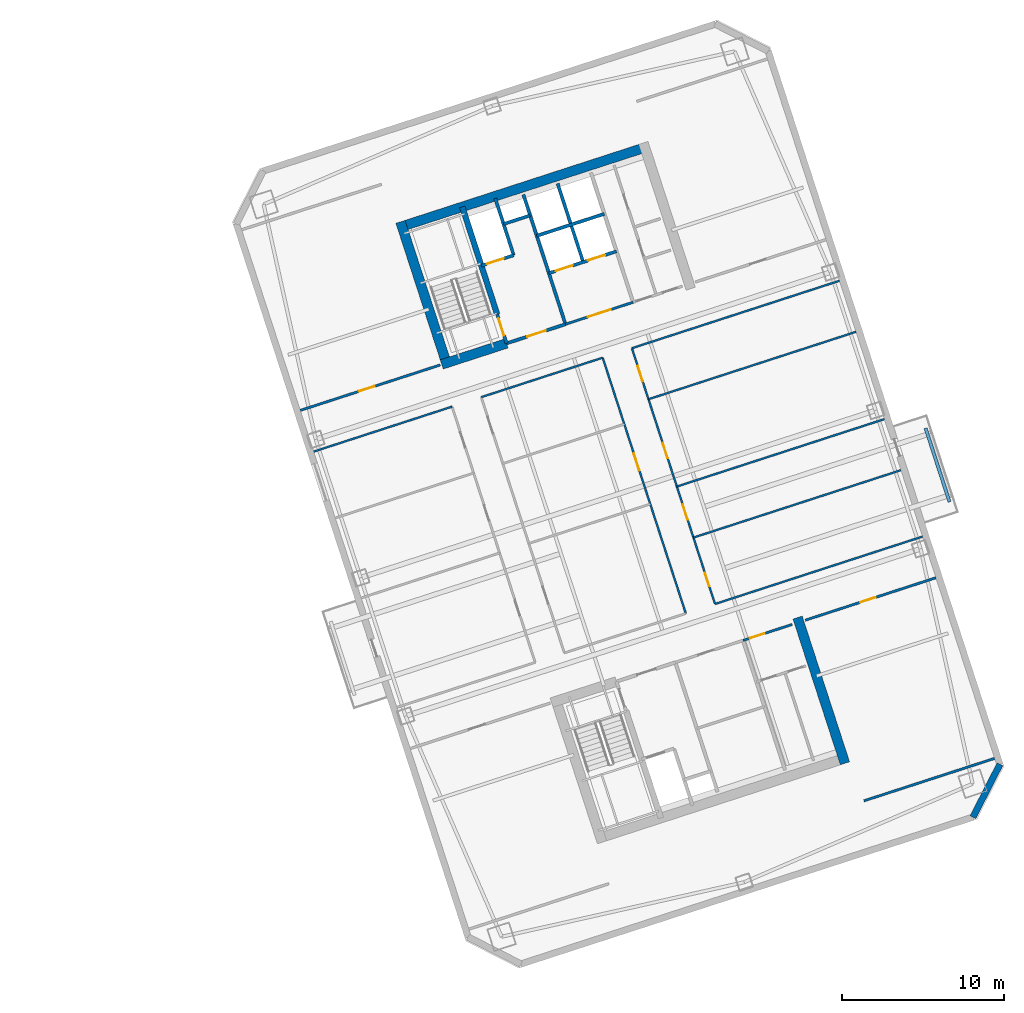
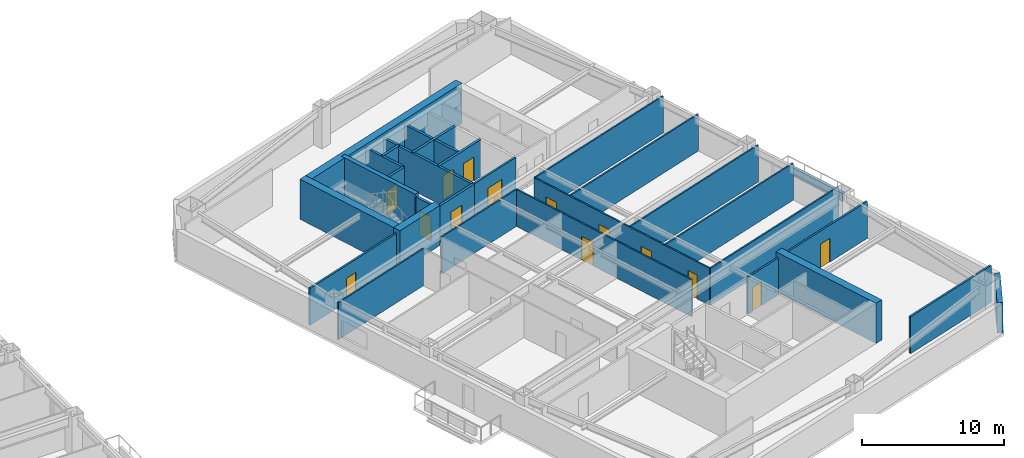
# One storey, part 8 of 14: 30 walls, 14 doors, 14 openings.
"""IFC4 building model written with IfcOpenShell, lengths in metres."""

from ifc_helpers import new_model, si_unit, direction, frame, frame_2d, origin, place, context, subcontext, project, spatial, rectangle, extrude, material, layer, layer_set, type_object, element, fill, save


model = new_model("IFC4")

# Units and contexts
model_context = context("Model", 3, precision=1e-05, world=origin(), true_north=direction((0.0, 1.0)))
body_context = subcontext(model_context, "Body", "Model", "MODEL_VIEW")
ifc_project = project(units=[si_unit("LENGTHUNIT", "METRE"), si_unit("AREAUNIT", "SQUARE_METRE"), si_unit("VOLUMEUNIT", "CUBIC_METRE"), si_unit("PLANEANGLEUNIT", "RADIAN"), si_unit("MASSUNIT", "GRAM", prefix="KILO")], contexts=[model_context])

# Site, building, storey
site_placement = place(None, origin())
site = spatial("IfcSite", under=ifc_project, at=site_placement, CompositionType="ELEMENT")
building_placement = place(site_placement, origin())
building = spatial("IfcBuilding", under=site, at=building_placement, Name="Qiaolan Cultural Towers", CompositionType="ELEMENT")
storey_placement = place(building_placement, frame((0.0, 0.0, 124.199951171875)))
storey = spatial("IfcBuildingStorey", under=building, at=storey_placement, Name="L32", CompositionType="ELEMENT", Elevation=124.199951171875)

# Walls
ifc_material_1 = material(Name="Concrete C50", Category="concrete")
ifc_layer_1 = layer(ifc_material_1, 0.35009765625)
ifc_layer_set_1 = layer_set([ifc_layer_1], Name="Concrete C50")
wall_type_1 = type_object("IfcWallType", Name="WL-CORE-350", PredefinedType="SHEAR", material=ifc_layer_set_1)
wall_1_placement = place(storey_placement, frame((82.513671875, 45.13134765625, 0.0), z_axis=(0.0, 0.0, 1.0), x_axis=(-0.308988790936, 0.951065679686, 0.0)))
element("IfcWall", 1, at=wall_1_placement, inside=storey, type_object=wall_type_1, Name="L32 T2-CN Stair Core Dividing Web", PredefinedType="SHEAR", context=body_context, shape_type="SweptSolid", body=[
    extrude(rectangle(XDim=6.97998046875, YDim=0.35009765625, at=frame_2d((3.489990234375, 0.0))), origin(), (0.0, 0.0, 1.0), 3.449951171875),
])
ifc_material_2 = material(Name="Concrete C55", Category="concrete")
ifc_layer_2 = layer(ifc_material_2, 0.60009765625)
ifc_layer_set_2 = layer_set([ifc_layer_2], Name="Concrete C55")
wall_type_2 = type_object("IfcWallType", Name="WL-CORE-600", PredefinedType="SHEAR", material=ifc_layer_set_2)
wall_2_placement = place(storey_placement, frame((101.105224609375, 26.357666015625, 0.0), z_axis=(0.0, 0.0, 1.0), x_axis=(0.309010370028, -0.95105866865, 0.0)))
element("IfcWall", 2, at=wall_2_placement, inside=storey, type_object=wall_type_2, Name="L32 T2-CS East Core Shear Wall", PredefinedType="SHEAR", context=body_context, shape_type="SweptSolid", body=[
    extrude(rectangle(XDim=9.47998046875, YDim=0.60009765625, at=frame_2d((4.739990234375, 0.0))), origin(), (0.0, 0.0, 1.0), 3.449951171875),
])
wall_3_placement = place(storey_placement, frame((76.343505859375, 50.4658203125, 0.0), z_axis=(0.0, 0.0, 1.0), x_axis=(0.951055727519, 0.309019421968, 0.0)))
element("IfcWall", 3, at=wall_3_placement, inside=storey, type_object=wall_type_2, Name="L32 T2-CN Outer Core Shear Wall", PredefinedType="SHEAR", context=body_context, shape_type="SweptSolid", body=[
    extrude(rectangle(XDim=16.39990234375, YDim=0.60009765625, at=frame_2d((8.199951171875, 0.0))), origin(), (0.0, 0.0, 1.0), 3.449951171875),
])
wall_4_placement = place(storey_placement, frame((79.465576171875, 41.827880859375, 0.0), z_axis=(0.0, 0.0, 1.0), x_axis=(-0.309041232772, 0.951048640421, 0.0)))
element("IfcWall", 4, at=wall_4_placement, inside=storey, type_object=wall_type_2, Name="L32 T2-CN West Core Shear Wall", PredefinedType="SHEAR", context=body_context, shape_type="SweptSolid", body=[
    extrude(rectangle(XDim=9.47998046875, YDim=0.60009765625, at=frame_2d((4.739990234375, 0.0))), origin(), (0.0, 0.0, 1.0), 3.449951171875),
])
wall_5_placement = place(storey_placement, frame((79.08740234375, 42.0205078125, 0.0), z_axis=(0.0, 0.0, 1.0), x_axis=(0.951062550203, 0.3089984233, 0.0)))
element("IfcWall", 5, at=wall_5_placement, inside=storey, type_object=wall_type_2, Name="L32 T2-CN Stair Front Shear Wall", PredefinedType="SHEAR", context=body_context, shape_type="SweptSolid", body=[
    extrude(rectangle(XDim=4.219970703125, YDim=0.60009765625, at=frame_2d((2.10986328125, 0.0))), origin(), (0.0, 0.0, 1.0), 3.449951171875),
])
ifc_material_3 = material(Name="Precast Concrete C50 Honed Stone Pier", Category="masonry")
ifc_layer_3 = layer(ifc_material_3, 0.39990234375)
ifc_layer_set_3 = layer_set([ifc_layer_3], Name="Precast Concrete C50 Honed Stone Pier")
wall_type_3 = type_object("IfcWallType", Name="WL-EXT-PIER-400", PredefinedType="SOLIDWALL", material=ifc_layer_set_3)
wall_6_placement = place(storey_placement, frame((113.62255859375, 17.281494140625, 0.0), z_axis=(0.0, 0.0, 1.0), x_axis=(-0.454026238093, -0.890988313685, 0.0)))
element("IfcWall", 6, at=wall_6_placement, inside=storey, type_object=wall_type_3, Name="L32 East Tower Precast Pier Facade Wall F6", PredefinedType="SOLIDWALL", context=body_context, shape_type="SweptSolid", body=[
    extrude(rectangle(XDim=3.677001953125, YDim=0.39990234375, at=frame_2d((1.83837890625, 0.0))), origin(), (0.0, 0.0, 1.0), 2.610107421875),
])

# Wall, opening, door
ifc_material_4 = material(Name="Concrete C35 Fire Wall", Category="concrete")
ifc_layer_4 = layer(ifc_material_4, 0.199951171875)
ifc_layer_set_4 = layer_set([ifc_layer_4], Name="Concrete C35 Fire Wall")
wall_type_4 = type_object("IfcWallType", Name="WL-FIRE-200", PredefinedType="PARTITIONING", material=ifc_layer_set_4)
wall_7_placement = place(storey_placement, frame((83.100830078125, 43.324462890625, 0.0), z_axis=(0.0, 0.0, 1.0), x_axis=(-0.309048298632, 0.951046344356, 0.0)))
wall_7 = element("IfcWall", 7, at=wall_7_placement, inside=storey, type_object=wall_type_4, Name="L32 T2-CN Smokeproof Stair Entry Wall", PredefinedType="PARTITIONING", context=body_context, shape_type="SweptSolid", body=[
    extrude(rectangle(XDim=1.89990234375, YDim=0.199951171875, at=frame_2d((0.949951171875, 0.0))), origin(), (0.0, 0.0, 1.0), 3.175048828125),
])
opening_1_placement = place(wall_7_placement, frame((0.52001953125, 0.0, 0.0)))
opening_1 = element("IfcOpeningElement", 8, at=opening_1_placement, cuts=wall_7, Name="Opening FD-04", PredefinedType="OPENING", context=body_context, shape_type="SweptSolid", body=[
    extrude(rectangle(XDim=1.10009765625, YDim=2.050048828125, at=frame_2d((0.550048828125, 1.02490234375))), frame((0.0, 0.10986328125, 0.0), z_axis=(0.0, -1.0, 0.0), x_axis=(1.0, 0.0, 0.0)), (0.0, 0.0, 1.0), 0.219970703125),
])
ifc_material_5 = material(Name="Galvanized Steel Command Fire Door", Category="steel")
door_type_1 = type_object("IfcDoorType", Name="DR-FD90-1100", OperationType="NOTDEFINED", PredefinedType="DOOR", material=ifc_material_5)
door_1_placement = place(opening_1_placement, origin())
door_1 = element("IfcDoor", 9, at=door_1_placement, inside=storey, type_object=door_type_1, Name="L32 ST-E2 Smokeproof Stair Fire Door", OperationType="SINGLE_SWING_LEFT", OverallHeight=2.050048828125, OverallWidth=1.10009765625, PredefinedType="DOOR", context=body_context, shape_type="SweptSolid", body=[
    extrude(rectangle(XDim=1.10009765625, YDim=2.050048828125, at=frame_2d((0.550048828125, 1.02490234375))), frame((0.0, 0.02490234375, 0.0), z_axis=(0.0, -1.0, 0.0), x_axis=(1.0, 0.0, 0.0)), (0.0, 0.0, 1.0), 0.050048828125),
])
fill(opening_1, door_1)

# Wall
wall_8_placement = place(storey_placement, frame((86.743408203125, 44.508056640625, 0.0), z_axis=(0.0, 0.0, 1.0), x_axis=(-0.309016001439, 0.951056838919, 0.0)))
element("IfcWall", 10, at=wall_8_placement, inside=storey, type_object=wall_type_4, Name="L32 T2-CN Firefighting Zone Wall", PredefinedType="PARTITIONING", context=body_context, shape_type="SweptSolid", body=[
    extrude(rectangle(XDim=8.429931640625, YDim=0.199951171875, at=frame_2d((4.21484375, 0.0))), origin(), (0.0, 0.0, 1.0), 3.175048828125),
])

# Wall, opening, door
wall_9_placement = place(storey_placement, frame((83.100830078125, 43.324462890625, 0.0), z_axis=(0.0, 0.0, 1.0), x_axis=(0.951052804469, 0.309028417967, 0.0)))
wall_9 = element("IfcWall", 11, at=wall_9_placement, inside=storey, type_object=wall_type_4, Name="L32 T2-CN Firefighting Lobby Front Wall", PredefinedType="PARTITIONING", context=body_context, shape_type="SweptSolid", body=[
    extrude(rectangle(XDim=3.830078125, YDim=0.199951171875, at=frame_2d((1.9150390625, 0.0))), origin(), (0.0, 0.0, 1.0), 3.175048828125),
])
opening_2_placement = place(wall_9_placement, frame((1.35009765625, 0.0, 0.0)))
opening_2 = element("IfcOpeningElement", 12, at=opening_2_placement, cuts=wall_9, Name="Opening FD-03", PredefinedType="OPENING", context=body_context, shape_type="SweptSolid", body=[
    extrude(rectangle(XDim=1.199951171875, YDim=2.050048828125, at=frame_2d((0.60009765625, 1.02490234375))), frame((0.0, 0.10986328125, 0.0), z_axis=(0.0, -1.0, 0.0), x_axis=(1.0, 0.0, 0.0)), (0.0, 0.0, 1.0), 0.219970703125),
])
ifc_material_6 = material(Name="Galvanized Steel Smokeproof Lobby Fire Door", Category="steel")
door_type_2 = type_object("IfcDoorType", Name="DR-FD90-1200", OperationType="NOTDEFINED", PredefinedType="DOOR", material=ifc_material_6)
door_2_placement = place(opening_2_placement, origin())
door_2 = element("IfcDoor", 13, at=door_2_placement, inside=storey, type_object=door_type_2, Name="L32 FFL-E2 Firefighting Lobby Fire Door", OperationType="SINGLE_SWING_LEFT", OverallHeight=2.050048828125, OverallWidth=1.199951171875, PredefinedType="DOOR", context=body_context, shape_type="SweptSolid", body=[
    extrude(rectangle(XDim=1.199951171875, YDim=2.050048828125, at=frame_2d((0.60009765625, 1.02490234375))), frame((0.0, 0.02490234375, 0.0), z_axis=(0.0, -1.0, 0.0), x_axis=(1.0, 0.0, 0.0)), (0.0, 0.0, 1.0), 0.050048828125),
])
fill(opening_2, door_2)

wall_10_placement = place(storey_placement, frame((81.540283203125, 48.127197265625, 0.0), z_axis=(0.0, 0.0, 1.0), x_axis=(0.951062257173, 0.308999325213, 0.0)))
wall_10 = element("IfcWall", 14, at=wall_10_placement, inside=storey, type_object=wall_type_4, Name="L32 T2-CN Firefighting Shaft Front Wall", PredefinedType="PARTITIONING", context=body_context, shape_type="SweptSolid", body=[
    extrude(rectangle(XDim=2.10009765625, YDim=0.199951171875, at=frame_2d((1.050048828125, 0.0))), origin(), (0.0, 0.0, 1.0), 3.175048828125),
])
opening_3_placement = place(wall_10_placement, frame((0.35009765625, 0.0, 0.0)))
opening_3 = element("IfcOpeningElement", 15, at=opening_3_placement, cuts=wall_10, Name="Opening LD-01", PredefinedType="OPENING", context=body_context, shape_type="SweptSolid", body=[
    extrude(rectangle(XDim=1.10009765625, YDim=2.050048828125, at=frame_2d((0.550048828125, 1.02490234375))), frame((0.0, 0.10986328125, 0.0), z_axis=(0.0, -1.0, 0.0), x_axis=(1.0, 0.0, 0.0)), (0.0, 0.0, 1.0), 0.219970703125),
])
ifc_material_7 = material(Name="Brushed Stainless Steel S30408 Centre-Parting Lift Landing Door", Category="steel")
door_type_3 = type_object("IfcDoorType", Name="DR-LIFT-1100", OperationType="NOTDEFINED", PredefinedType="DOOR", material=ifc_material_7)
door_3_placement = place(opening_3_placement, origin())
door_3 = element("IfcDoor", 16, at=door_3_placement, inside=storey, type_object=door_type_3, Name="L32 FFL-E2 Firefighting Lift Landing Door", OperationType="DOUBLE_DOOR_SLIDING", OverallHeight=2.050048828125, OverallWidth=1.10009765625, PredefinedType="DOOR", context=body_context, shape_type="SweptSolid", body=[
    extrude(rectangle(XDim=1.10009765625, YDim=2.050048828125, at=frame_2d((0.550048828125, 1.02490234375))), frame((0.0, 0.02490234375, 0.0), z_axis=(0.0, -1.0, 0.0), x_axis=(1.0, 0.0, 0.0)), (0.0, 0.0, 1.0), 0.050048828125),
])
fill(opening_3, door_3)

# Walls
wall_11_placement = place(storey_placement, frame((83.53759765625, 48.776123046875, 0.0), z_axis=(0.0, 0.0, 1.0), x_axis=(-0.3089935693, 0.951064127245, 0.0)))
element("IfcWall", 17, at=wall_11_placement, inside=storey, type_object=wall_type_4, Name="L32 T2-CN Firefighting Hoistway East Wall", PredefinedType="PARTITIONING", context=body_context, shape_type="SweptSolid", body=[
    extrude(rectangle(XDim=3.7001953125, YDim=0.199951171875, at=frame_2d((1.85009765625, 0.0))), origin(), (0.0, 0.0, 1.0), 3.175048828125),
])
wall_12_placement = place(storey_placement, frame((82.910400390625, 50.706787109375, 0.0), z_axis=(0.0, 0.0, 1.0), x_axis=(0.951041328149, 0.309063734775, 0.0)))
element("IfcWall", 18, at=wall_12_placement, inside=storey, type_object=wall_type_4, Name="L32 T2-CN Pressurization Shaft Front Wall", PredefinedType="PARTITIONING", context=body_context, shape_type="SweptSolid", body=[
    extrude(rectangle(XDim=1.72998046875, YDim=0.199951171875, at=frame_2d((0.864990234375, 0.0))), origin(), (0.0, 0.0, 1.0), 3.175048828125),
])

# Wall, openings, doors
wall_13_placement = place(storey_placement, frame((85.717529296875, 47.66552734375, 0.0), z_axis=(0.0, 0.0, 1.0), x_axis=(0.951058531764, 0.30901079133, 0.0)))
wall_13 = element("IfcWall", 19, at=wall_13_placement, inside=storey, type_object=wall_type_4, Name="L32 T2-CN Passenger Lift Shaft Front Wall", PredefinedType="PARTITIONING", context=body_context, shape_type="SweptSolid", body=[
    extrude(rectangle(XDim=4.39990234375, YDim=0.199951171875, at=frame_2d((2.199951171875, 0.0))), origin(), (0.0, 0.0, 1.0), 3.175048828125),
])
opening_4_placement = place(wall_13_placement, frame((0.449951171875, 0.0, 0.0)))
opening_4 = element("IfcOpeningElement", 20, at=opening_4_placement, cuts=wall_13, Name="Opening LD-01", PredefinedType="OPENING", context=body_context, shape_type="SweptSolid", body=[
    extrude(rectangle(XDim=1.10009765625, YDim=2.050048828125, at=frame_2d((0.550048828125, 1.02490234375))), frame((0.0, 0.10986328125, 0.0), z_axis=(0.0, -1.0, 0.0), x_axis=(1.0, 0.0, 0.0)), (0.0, 0.0, 1.0), 0.219970703125),
])
opening_5_placement = place(wall_13_placement, frame((2.550048828125, 0.0, 0.0)))
opening_5 = element("IfcOpeningElement", 21, at=opening_5_placement, cuts=wall_13, Name="Opening LD-01", PredefinedType="OPENING", context=body_context, shape_type="SweptSolid", body=[
    extrude(rectangle(XDim=1.10009765625, YDim=2.050048828125, at=frame_2d((0.550048828125, 1.02490234375))), frame((0.0, 0.10986328125, 0.0), z_axis=(0.0, -1.0, 0.0), x_axis=(1.0, 0.0, 0.0)), (0.0, 0.0, 1.0), 0.219970703125),
])
door_4_placement = place(opening_4_placement, origin())
door_4 = element("IfcDoor", 22, at=door_4_placement, inside=storey, type_object=door_type_3, Name="L32 Passenger Lift 1 Landing Door", OperationType="DOUBLE_DOOR_SLIDING", OverallHeight=2.050048828125, OverallWidth=1.10009765625, PredefinedType="DOOR", context=body_context, shape_type="SweptSolid", body=[
    extrude(rectangle(XDim=1.10009765625, YDim=2.050048828125, at=frame_2d((0.550048828125, 1.02490234375))), frame((0.0, 0.02490234375, 0.0), z_axis=(0.0, -1.0, 0.0), x_axis=(1.0, 0.0, 0.0)), (0.0, 0.0, 1.0), 0.050048828125),
])
fill(opening_4, door_4)
door_5_placement = place(opening_5_placement, origin())
door_5 = element("IfcDoor", 23, at=door_5_placement, inside=storey, type_object=door_type_3, Name="L32 Passenger Lift 2 Landing Door", OperationType="DOUBLE_DOOR_SLIDING", OverallHeight=2.050048828125, OverallWidth=1.10009765625, PredefinedType="DOOR", context=body_context, shape_type="SweptSolid", body=[
    extrude(rectangle(XDim=1.10009765625, YDim=2.050048828125, at=frame_2d((0.550048828125, 1.02490234375))), frame((0.0, 0.02490234375, 0.0), z_axis=(0.0, -1.0, 0.0), x_axis=(1.0, 0.0, 0.0)), (0.0, 0.0, 1.0), 0.050048828125),
])
fill(opening_5, door_5)

# Walls
wall_14_placement = place(storey_placement, frame((87.83837890625, 48.3544921875, 0.0), z_axis=(0.0, 0.0, 1.0), x_axis=(-0.3090093719, 0.951058992953, 0.0)))
element("IfcWall", 24, at=wall_14_placement, inside=storey, type_object=wall_type_4, Name="L32 T2-CN Lift Shaft Divider Wall", PredefinedType="PARTITIONING", context=body_context, shape_type="SweptSolid", body=[
    extrude(rectangle(XDim=5.110107421875, YDim=0.199951171875, at=frame_2d((2.55517578125, 0.0))), origin(), (0.0, 0.0, 1.0), 3.175048828125),
])
wall_15_placement = place(storey_placement, frame((84.966552734375, 49.9765625, 0.0), z_axis=(0.0, 0.0, 1.0), x_axis=(0.951063829732, 0.308994485023, 0.0)))
element("IfcWall", 25, at=wall_15_placement, inside=storey, type_object=wall_type_4, Name="L32 T2-CN Passenger Lift Shaft Back Wall", PredefinedType="PARTITIONING", context=body_context, shape_type="SweptSolid", body=[
    extrude(rectangle(XDim=4.400146484375, YDim=0.199951171875, at=frame_2d((2.2001953125, 0.0))), origin(), (0.0, 0.0, 1.0), 3.175048828125),
])
ifc_material_8 = material(Name="Gypsum Stud Acoustic Partition", Category="gypsum")
ifc_layer_5 = layer(ifc_material_8, 0.1201171875)
ifc_layer_set_5 = layer_set([ifc_layer_5], Name="Gypsum Stud Acoustic Partition")
wall_type_5 = type_object("IfcWallType", Name="WL-PART-120", PredefinedType="PARTITIONING", material=ifc_layer_set_5)
wall_16_placement = place(storey_placement, frame((95.994873046875, 27.19970703125, 0.0), z_axis=(0.0, 0.0, 1.0), x_axis=(0.951057589409, 0.309013691651, 0.0)))
element("IfcWall", 26, at=wall_16_placement, inside=storey, type_object=wall_type_5, Name="L32 T2 Interior Wall", PredefinedType="PARTITIONING", context=body_context, shape_type="SweptSolid", body=[
    extrude(rectangle(XDim=13.499755859375, YDim=0.1201171875, at=frame_2d((6.75, 0.0))), origin(), (0.0, 0.0, 1.0), 3.175048828125),
])
wall_17_placement = place(storey_placement, frame((71.166015625, 36.628662109375, 0.0), z_axis=(0.0, 0.0, 1.0), x_axis=(0.951059383421, 0.309008170129, 0.0)))
element("IfcWall", 27, at=wall_17_placement, inside=storey, type_object=wall_type_5, Name="L32 T2 Interior Wall", PredefinedType="PARTITIONING", context=body_context, shape_type="SweptSolid", body=[
    extrude(rectangle(XDim=8.999755859375, YDim=0.1201171875, at=frame_2d((4.5, 0.0))), origin(), (0.0, 0.0, 1.0), 3.175048828125),
])
wall_18_placement = place(storey_placement, frame((81.532470703125, 39.996826171875, 0.0), z_axis=(0.0, 0.0, 1.0), x_axis=(0.951048148493, 0.309042746635, 0.0)))
element("IfcWall", 28, at=wall_18_placement, inside=storey, type_object=wall_type_5, Name="L32 T2 Interior Wall", PredefinedType="PARTITIONING", context=body_context, shape_type="SweptSolid", body=[
    extrude(rectangle(XDim=7.89990234375, YDim=0.1201171875, at=frame_2d((3.949951171875, 0.0))), origin(), (0.0, 0.0, 1.0), 3.175048828125),
])
wall_19_placement = place(storey_placement, frame((90.852783203125, 43.025146484375, 0.0), z_axis=(0.0, 0.0, 1.0), x_axis=(0.951054001411, 0.309024734286, 0.0)))
element("IfcWall", 29, at=wall_19_placement, inside=storey, type_object=wall_type_5, Name="L32 T2 Interior Wall", PredefinedType="PARTITIONING", context=body_context, shape_type="SweptSolid", body=[
    extrude(rectangle(XDim=13.500244140625, YDim=0.1201171875, at=frame_2d((6.75, 0.0))), origin(), (0.0, 0.0, 1.0), 3.175048828125),
])

# Wall, opening, door
wall_20_placement = place(storey_placement, frame((94.187744140625, 26.612548828125, 0.0), z_axis=(0.0, 0.0, 1.0), x_axis=(-0.30901773025, 0.951056277195, 0.0)))
wall_20 = element("IfcWall", 30, at=wall_20_placement, inside=storey, type_object=wall_type_5, Name="L32 T2 Interior Wall", PredefinedType="PARTITIONING", context=body_context, shape_type="SweptSolid", body=[
    extrude(rectangle(XDim=16.64013671875, YDim=0.1201171875, at=frame_2d((8.320068359375, 0.0))), origin(), (0.0, 0.0, 1.0), 3.175048828125),
])
opening_6_placement = place(wall_20_placement, frame((9.303955078125, 0.0, 0.0)))
opening_6 = element("IfcOpeningElement", 31, at=opening_6_placement, cuts=wall_20, Name="Opening ID-03", PredefinedType="OPENING", context=body_context, shape_type="SweptSolid", body=[
    extrude(rectangle(XDim=1.10009765625, YDim=2.050048828125, at=frame_2d((0.550048828125, 1.02490234375))), frame((0.0, 0.070068359375, 0.0), z_axis=(0.0, -1.0, 0.0), x_axis=(1.0, 0.0, 0.0)), (0.0, 0.0, 1.0), 0.14013671875),
])
ifc_material_9 = material(Name="Oak Veneer Solid-Core Boardroom Door", Category="timber")
door_type_4 = type_object("IfcDoorType", Name="DR-INT-1100", OperationType="NOTDEFINED", PredefinedType="DOOR", material=ifc_material_9)
door_6_placement = place(opening_6_placement, origin())
door_6 = element("IfcDoor", 32, at=door_6_placement, inside=storey, type_object=door_type_4, Name="L32 T2 Central Study Salon Door", OperationType="SINGLE_SWING_LEFT", OverallHeight=2.050048828125, OverallWidth=1.10009765625, PredefinedType="DOOR", context=body_context, shape_type="SweptSolid", body=[
    extrude(rectangle(XDim=1.10009765625, YDim=2.050048828125, at=frame_2d((0.550048828125, 1.02490234375))), frame((0.0, 0.02490234375, 0.0), z_axis=(0.0, -1.0, 0.0), x_axis=(1.0, 0.0, 0.0)), (0.0, 0.0, 1.0), 0.050048828125),
])
fill(opening_6, door_6)

# Wall, openings, doors
wall_21_placement = place(storey_placement, frame((95.994873046875, 27.19970703125, 0.0), z_axis=(0.0, 0.0, 1.0), x_axis=(-0.309022042254, 0.951054876125, 0.0)))
wall_21 = element("IfcWall", 33, at=wall_21_placement, inside=storey, type_object=wall_type_5, Name="L32 T2 Interior Wall", PredefinedType="PARTITIONING", context=body_context, shape_type="SweptSolid", body=[
    extrude(rectangle(XDim=16.639892578125, YDim=0.1201171875, at=frame_2d((8.31982421875, 0.0))), origin(), (0.0, 0.0, 1.0), 3.175048828125),
])
opening_7_placement = place(wall_21_placement, frame((1.159912109375, 0.0, 0.0)))
opening_7 = element("IfcOpeningElement", 34, at=opening_7_placement, cuts=wall_21, Name="Opening ID-09", PredefinedType="OPENING", context=body_context, shape_type="SweptSolid", body=[
    extrude(rectangle(XDim=0.85009765625, YDim=2.050048828125, at=frame_2d((0.425048828125, 1.02490234375))), frame((0.0, 0.070068359375, 0.0), z_axis=(0.0, -1.0, 0.0), x_axis=(1.0, 0.0, 0.0)), (0.0, 0.0, 1.0), 0.14013671875),
])
opening_8_placement = place(wall_21_placement, frame((5.47998046875, 0.0, 0.0)))
opening_8 = element("IfcOpeningElement", 35, at=opening_8_placement, cuts=wall_21, Name="Opening ID-04", PredefinedType="OPENING", context=body_context, shape_type="SweptSolid", body=[
    extrude(rectangle(XDim=1.0, YDim=2.050048828125, at=frame_2d((0.5, 1.02490234375))), frame((0.0, 0.070068359375, 0.0), z_axis=(0.0, -1.0, 0.0), x_axis=(1.0, 0.0, 0.0)), (0.0, 0.0, 1.0), 0.14013671875),
])
opening_9_placement = place(wall_21_placement, frame((9.47998046875, 0.0, 0.0)))
opening_9 = element("IfcOpeningElement", 36, at=opening_9_placement, cuts=wall_21, Name="Opening ID-04", PredefinedType="OPENING", context=body_context, shape_type="SweptSolid", body=[
    extrude(rectangle(XDim=1.0, YDim=2.050048828125, at=frame_2d((0.5, 1.02490234375))), frame((0.0, 0.070068359375, 0.0), z_axis=(0.0, -1.0, 0.0), x_axis=(1.0, 0.0, 0.0)), (0.0, 0.0, 1.0), 0.14013671875),
])
opening_10_placement = place(wall_21_placement, frame((14.47998046875, 0.0, 0.0)))
opening_10 = element("IfcOpeningElement", 37, at=opening_10_placement, cuts=wall_21, Name="Opening ID-04", PredefinedType="OPENING", context=body_context, shape_type="SweptSolid", body=[
    extrude(rectangle(XDim=1.0, YDim=2.050048828125, at=frame_2d((0.5, 1.02490234375))), frame((0.0, 0.070068359375, 0.0), z_axis=(0.0, -1.0, 0.0), x_axis=(1.0, 0.0, 0.0)), (0.0, 0.0, 1.0), 0.14013671875),
])
ifc_material_10 = material(Name="Oak Veneer Acoustic Office Door", Category="timber")
door_type_5 = type_object("IfcDoorType", Name="DR-INT-1000", OperationType="NOTDEFINED", PredefinedType="DOOR", material=ifc_material_10)
door_7_placement = place(opening_8_placement, origin())
door_7 = element("IfcDoor", 38, at=door_7_placement, inside=storey, type_object=door_type_5, Name="L32 T2 Symposium Room Door", OperationType="SINGLE_SWING_RIGHT", OverallHeight=2.050048828125, OverallWidth=1.0, PredefinedType="DOOR", context=body_context, shape_type="SweptSolid", body=[
    extrude(rectangle(XDim=1.0, YDim=2.050048828125, at=frame_2d((0.5, 1.02490234375))), frame((0.0, 0.02490234375, 0.0), z_axis=(0.0, -1.0, 0.0), x_axis=(1.0, 0.0, 0.0)), (0.0, 0.0, 1.0), 0.050048828125),
])
fill(opening_8, door_7)
door_8_placement = place(opening_9_placement, origin())
door_8 = element("IfcDoor", 39, at=door_8_placement, inside=storey, type_object=door_type_5, Name="L32 T2 Symposium Room Door", OperationType="SINGLE_SWING_LEFT", OverallHeight=2.050048828125, OverallWidth=1.0, PredefinedType="DOOR", context=body_context, shape_type="SweptSolid", body=[
    extrude(rectangle(XDim=1.0, YDim=2.050048828125, at=frame_2d((0.5, 1.02490234375))), frame((0.0, 0.02490234375, 0.0), z_axis=(0.0, -1.0, 0.0), x_axis=(1.0, 0.0, 0.0)), (0.0, 0.0, 1.0), 0.050048828125),
])
fill(opening_9, door_8)
door_9_placement = place(opening_10_placement, origin())
door_9 = element("IfcDoor", 40, at=door_9_placement, inside=storey, type_object=door_type_5, Name="L32 T2 Reading Lounge Door", OperationType="SINGLE_SWING_LEFT", OverallHeight=2.050048828125, OverallWidth=1.0, PredefinedType="DOOR", context=body_context, shape_type="SweptSolid", body=[
    extrude(rectangle(XDim=1.0, YDim=2.050048828125, at=frame_2d((0.5, 1.02490234375))), frame((0.0, 0.02490234375, 0.0), z_axis=(0.0, -1.0, 0.0), x_axis=(1.0, 0.0, 0.0)), (0.0, 0.0, 1.0), 0.050048828125),
])
fill(opening_10, door_9)
ifc_material_11 = material(Name="Moisture-Resistant Laminate Utility Door", Category="timber")
door_type_6 = type_object("IfcDoorType", Name="DR-INT-850", OperationType="NOTDEFINED", PredefinedType="DOOR", material=ifc_material_11)
door_10_placement = place(opening_7_placement, origin())
door_10 = element("IfcDoor", 41, at=door_10_placement, inside=storey, type_object=door_type_6, Name="L32 T2 Symposium Room Door", OperationType="SINGLE_SWING_RIGHT", OverallHeight=2.050048828125, OverallWidth=0.85009765625, PredefinedType="DOOR", context=body_context, shape_type="SweptSolid", body=[
    extrude(rectangle(XDim=0.85009765625, YDim=2.050048828125, at=frame_2d((0.425048828125, 1.02490234375))), frame((0.0, 0.02490234375, 0.0), z_axis=(0.0, -1.0, 0.0), x_axis=(1.0, 0.0, 0.0)), (0.0, 0.0, 1.0), 0.050048828125),
])
fill(opening_7, door_10)

# Walls
for number, where, z_axis, x_axis, name in (
    (42, (94.659912109375, 31.308349609375, 0.0), (0.0, 0.0, 1.0), (0.951057589409, 0.309013691651, 0.0), "L32 T2 Interior Wall"),
    (43, (93.634033203125, 34.4658203125, 0.0), (0.0, 0.0, 1.0), (0.951057589409, 0.309013691651, 0.0), "L32 T2 Interior Wall"),
):
    element("IfcWall", number, at=place(storey_placement, frame(where, z_axis=z_axis, x_axis=x_axis)), inside=storey, type_object=wall_type_5, Name=name, PredefinedType="PARTITIONING", context=body_context, shape_type="SweptSolid", body=[
        extrude(rectangle(XDim=13.499755859375, YDim=0.1201171875, at=frame_2d((6.75, 0.0))), origin(), (0.0, 0.0, 1.0), 3.175048828125),
    ])
wall_22_placement = place(storey_placement, frame((91.878662109375, 39.86767578125, 0.0), z_axis=(0.0, 0.0, 1.0), x_axis=(0.951054001411, 0.309024734286, 0.0)))
element("IfcWall", 44, at=wall_22_placement, inside=storey, type_object=wall_type_5, Name="L32 T2 Interior Wall", PredefinedType="PARTITIONING", context=body_context, shape_type="SweptSolid", body=[
    extrude(rectangle(XDim=13.500244140625, YDim=0.1201171875, at=frame_2d((6.75, 0.0))), origin(), (0.0, 0.0, 1.0), 3.175048828125),
])

# Wall, opening, door
ifc_material_12 = material(Name="Autoclaved Aerated Concrete Block B06", Category="concrete")
ifc_layer_6 = layer(ifc_material_12, 0.14990234375)
ifc_layer_set_6 = layer_set([ifc_layer_6], Name="Autoclaved Aerated Concrete Block B06")
wall_type_6 = type_object("IfcWallType", Name="WL-PART-150", PredefinedType="PARTITIONING", material=ifc_layer_set_6)
wall_23_placement = place(storey_placement, frame((97.7265625, 24.9443359375, 0.0), z_axis=(0.0, 0.0, 1.0), x_axis=(0.951036872128, 0.309077446369, 0.0)))
wall_23 = element("IfcWall", 45, at=wall_23_placement, inside=storey, type_object=wall_type_6, Name="L32 T2-CS Sanitary Core Front Wall", PredefinedType="PARTITIONING", context=body_context, shape_type="SweptSolid", body=[
    extrude(rectangle(XDim=3.199951171875, YDim=0.14990234375, at=frame_2d((1.60009765625, 0.0))), origin(), (0.0, 0.0, 1.0), 3.175048828125),
])
opening_11_placement = place(wall_23_placement, frame((0.449951171875, 0.0, 0.0)))
opening_11 = element("IfcOpeningElement", 46, at=opening_11_placement, cuts=wall_23, Name="Opening ID-05", PredefinedType="OPENING", context=body_context, shape_type="SweptSolid", body=[
    extrude(rectangle(XDim=0.949951171875, YDim=2.050048828125, at=frame_2d((0.47509765625, 1.02490234375))), frame((0.0, 0.0849609375, 0.0), z_axis=(0.0, -1.0, 0.0), x_axis=(1.0, 0.0, 0.0)), (0.0, 0.0, 1.0), 0.169921875),
])
ifc_material_13 = material(Name="Fire-Rated Laminate Accessible Core Door", Category="timber")
door_type_7 = type_object("IfcDoorType", Name="DR-INT-950", OperationType="NOTDEFINED", PredefinedType="DOOR", material=ifc_material_13)
door_11_placement = place(opening_11_placement, origin())
door_11 = element("IfcDoor", 47, at=door_11_placement, inside=storey, type_object=door_type_7, Name="L32 Sanitary Vestibule Door", OperationType="SINGLE_SWING_LEFT", OverallHeight=2.050048828125, OverallWidth=0.949951171875, PredefinedType="DOOR", context=body_context, shape_type="SweptSolid", body=[
    extrude(rectangle(XDim=0.949951171875, YDim=2.050048828125, at=frame_2d((0.47509765625, 1.02490234375))), frame((0.0, 0.02490234375, 0.0), z_axis=(0.0, -1.0, 0.0), x_axis=(1.0, 0.0, 0.0)), (0.0, 0.0, 1.0), 0.050048828125),
])
fill(opening_11, door_11)

wall_24_placement = place(storey_placement, frame((86.743408203125, 44.508056640625, 0.0), z_axis=(0.0, 0.0, 1.0), x_axis=(0.951063829732, 0.308994485023, 0.0)))
wall_24 = element("IfcWall", 48, at=wall_24_placement, inside=storey, type_object=wall_type_6, Name="L32 T2-CN Passenger Lift Lobby Front Wall", PredefinedType="PARTITIONING", context=body_context, shape_type="SweptSolid", body=[
    extrude(rectangle(XDim=4.400146484375, YDim=0.14990234375, at=frame_2d((2.2001953125, 0.0))), origin(), (0.0, 0.0, 1.0), 3.175048828125),
])
opening_12_placement = place(wall_24_placement, frame((1.449951171875, 0.0, 0.0)))
opening_12 = element("IfcOpeningElement", 49, at=opening_12_placement, cuts=wall_24, Name="Opening FD-05", PredefinedType="OPENING", context=body_context, shape_type="SweptSolid", body=[
    extrude(rectangle(XDim=1.5, YDim=2.050048828125, at=frame_2d((0.75, 1.02490234375))), frame((0.0, 0.0849609375, 0.0), z_axis=(0.0, -1.0, 0.0), x_axis=(1.0, 0.0, 0.0)), (0.0, 0.0, 1.0), 0.169921875),
])
ifc_material_14 = material(Name="Painted Steel Lift Lobby Fire Door", Category="steel")
door_type_8 = type_object("IfcDoorType", Name="DR-FD60-1500", OperationType="NOTDEFINED", PredefinedType="DOOR", material=ifc_material_14)
door_12_placement = place(opening_12_placement, origin())
door_12 = element("IfcDoor", 50, at=door_12_placement, inside=storey, type_object=door_type_8, Name="L32 Passenger Lift Lobby Entrance", OperationType="SINGLE_SWING_LEFT", OverallHeight=2.050048828125, OverallWidth=1.5, PredefinedType="DOOR", context=body_context, shape_type="SweptSolid", body=[
    extrude(rectangle(XDim=1.5, YDim=2.050048828125, at=frame_2d((0.75, 1.02490234375))), frame((0.0, 0.02490234375, 0.0), z_axis=(0.0, -1.0, 0.0), x_axis=(1.0, 0.0, 0.0)), (0.0, 0.0, 1.0), 0.050048828125),
])
fill(opening_12, door_12)

# Wall
wall_25_placement = place(storey_placement, frame((105.209228515625, 15.02099609375, 0.0), z_axis=(0.0, 0.0, 1.0), x_axis=(0.951054329824, 0.309023723562, 0.0)))
element("IfcWall", 51, at=wall_25_placement, inside=storey, type_object=wall_type_6, Name="L32 T2 Flank Wall FLK-SE", PredefinedType="PARTITIONING", context=body_context, shape_type="SweptSolid", body=[
    extrude(rectangle(XDim=8.5, YDim=0.14990234375, at=frame_2d((4.25, 0.0))), origin(), (0.0, 0.0, 1.0), 3.175048828125),
])

# Wall, opening, door
wall_26_placement = place(storey_placement, frame((101.578369140625, 26.196044921875, 0.0), z_axis=(0.0, 0.0, 1.0), x_axis=(0.951062770994, 0.308997743729, 0.0)))
wall_26 = element("IfcWall", 52, at=wall_26_placement, inside=storey, type_object=wall_type_6, Name="L32 T2 Flank Front FLK-SE", PredefinedType="PARTITIONING", context=body_context, shape_type="SweptSolid", body=[
    extrude(rectangle(XDim=8.5, YDim=0.14990234375, at=frame_2d((4.25, 0.0))), origin(), (0.0, 0.0, 1.0), 3.175048828125),
])
opening_13_placement = place(wall_26_placement, frame((3.570068359375, 0.0, 0.0)))
opening_13 = element("IfcOpeningElement", 53, at=opening_13_placement, cuts=wall_26, Name="Opening ID-04", PredefinedType="OPENING", context=body_context, shape_type="SweptSolid", body=[
    extrude(rectangle(XDim=1.0, YDim=2.050048828125, at=frame_2d((0.5, 1.02490234375))), frame((0.0, 0.0849609375, 0.0), z_axis=(0.0, -1.0, 0.0), x_axis=(1.0, 0.0, 0.0)), (0.0, 0.0, 1.0), 0.169921875),
])
door_13_placement = place(opening_13_placement, origin())
door_13 = element("IfcDoor", 54, at=door_13_placement, inside=storey, type_object=door_type_5, Name="L32 T2 Corner Studio Door", OperationType="SINGLE_SWING_LEFT", OverallHeight=2.050048828125, OverallWidth=1.0, PredefinedType="DOOR", context=body_context, shape_type="SweptSolid", body=[
    extrude(rectangle(XDim=1.0, YDim=2.050048828125, at=frame_2d((0.5, 1.02490234375))), frame((0.0, 0.02490234375, 0.0), z_axis=(0.0, -1.0, 0.0), x_axis=(1.0, 0.0, 0.0)), (0.0, 0.0, 1.0), 0.050048828125),
])
fill(opening_13, door_13)

wall_27_placement = place(storey_placement, frame((70.337646484375, 39.177490234375, 0.0), z_axis=(0.0, 0.0, 1.0), x_axis=(0.951059695568, 0.309007209409, 0.0)))
wall_27 = element("IfcWall", 55, at=wall_27_placement, inside=storey, type_object=wall_type_6, Name="L32 T2 Flank Front FLK-NW", PredefinedType="PARTITIONING", context=body_context, shape_type="SweptSolid", body=[
    extrude(rectangle(XDim=9.10009765625, YDim=0.14990234375, at=frame_2d((4.550048828125, 0.0))), origin(), (0.0, 0.0, 1.0), 3.175048828125),
])
opening_14_placement = place(wall_27_placement, frame((3.822021484375, 0.0, 0.0)))
opening_14 = element("IfcOpeningElement", 56, at=opening_14_placement, cuts=wall_27, Name="Opening ID-04", PredefinedType="OPENING", context=body_context, shape_type="SweptSolid", body=[
    extrude(rectangle(XDim=1.0, YDim=2.050048828125, at=frame_2d((0.5, 1.02490234375))), frame((0.0, 0.0849609375, 0.0), z_axis=(0.0, -1.0, 0.0), x_axis=(1.0, 0.0, 0.0)), (0.0, 0.0, 1.0), 0.169921875),
])
door_14_placement = place(opening_14_placement, origin())
door_14 = element("IfcDoor", 57, at=door_14_placement, inside=storey, type_object=door_type_5, Name="L32 T2 Corner Studio Door", OperationType="SINGLE_SWING_LEFT", OverallHeight=2.050048828125, OverallWidth=1.0, PredefinedType="DOOR", context=body_context, shape_type="SweptSolid", body=[
    extrude(rectangle(XDim=1.0, YDim=2.050048828125, at=frame_2d((0.5, 1.02490234375))), frame((0.0, 0.02490234375, 0.0), z_axis=(0.0, -1.0, 0.0), x_axis=(1.0, 0.0, 0.0)), (0.0, 0.0, 1.0), 0.050048828125),
])
fill(opening_14, door_14)

# Wall
ifc_material_15 = material(Name="Precast Concrete C45 Tree Planter Upstand", Category="concrete")
ifc_layer_7 = layer(ifc_material_15, 0.199951171875)
ifc_layer_set_7 = layer_set([ifc_layer_7], Name="Precast Concrete C45 Tree Planter Upstand")
wall_type_7 = type_object("IfcWallType", Name="WL-PLANTER-200", PredefinedType="PARAPET", material=ifc_layer_set_7)
wall_28_placement = place(storey_placement, frame((110.504150390625, 33.51220703125, 0.0), z_axis=(0.0, 0.0, 1.0), x_axis=(-0.308986014439, 0.951066581729, 0.0)))
element("IfcWall", 58, at=wall_28_placement, inside=storey, type_object=wall_type_7, Name="L32 T2 Tree Balcony Soil Planter Box E", PredefinedType="PARAPET", context=body_context, shape_type="SweptSolid", body=[
    extrude(rectangle(XDim=4.800048828125, YDim=0.199951171875, at=frame_2d((2.39990234375, 0.0))), origin(), (0.0, 0.0, 1.0), 0.75),
])

save(model, "model.ifc")
